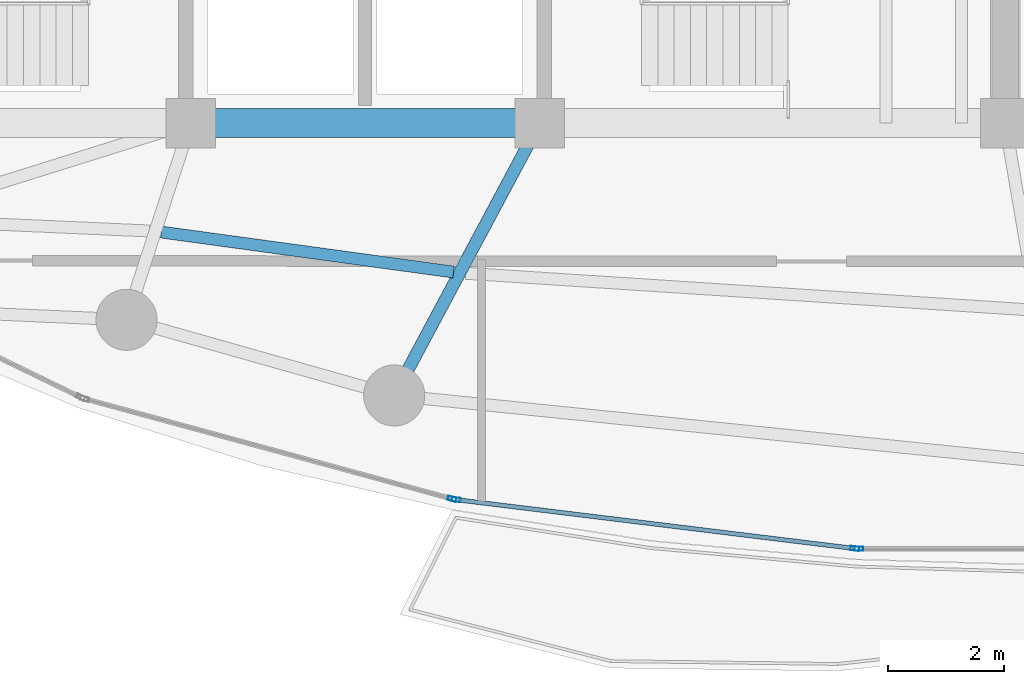
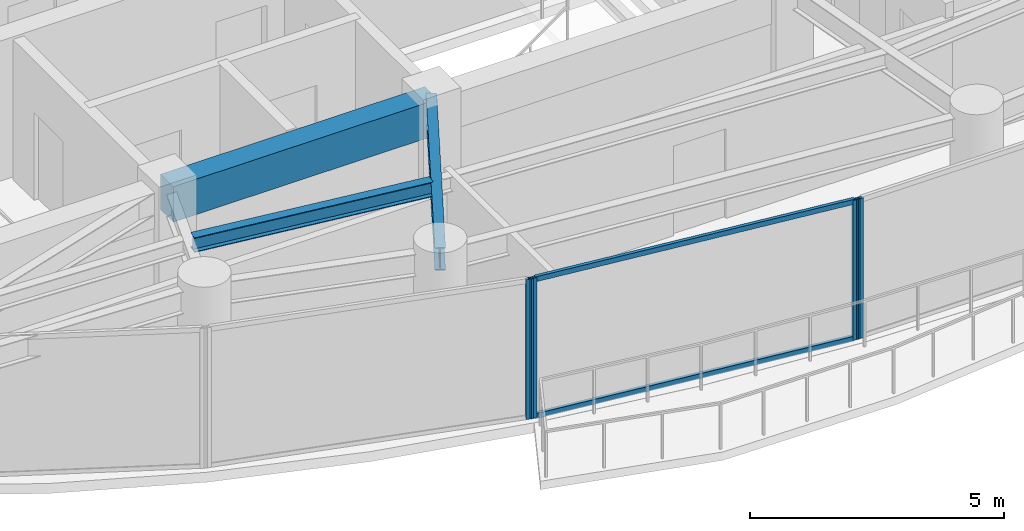
# One storey, part 5 of 29: 6 members, 3 beams, 3 elements without a shape of their own.
"""IFC4 building model written with IfcOpenShell, lengths in metres."""

from ifc_helpers import new_model, si_unit, direction, frame, origin, origin_2d, place, context, subcontext, project, spatial, rectangle, hollow_rectangle, i_section, extrude, material, layer, layer_set, material_profile, profile_set, type_object, element, aggregate, save


model = new_model("IFC4")

# Units and contexts
model_context = context("Model", 3, precision=1e-05, world=origin(), true_north=direction((0.0, 1.0)))
body_context = subcontext(model_context, "Body", "Model", "MODEL_VIEW")
ifc_project = project(units=[si_unit("LENGTHUNIT", "METRE"), si_unit("AREAUNIT", "SQUARE_METRE"), si_unit("VOLUMEUNIT", "CUBIC_METRE"), si_unit("PLANEANGLEUNIT", "RADIAN"), si_unit("MASSUNIT", "GRAM", prefix="KILO")], contexts=[model_context])

# Site, building, storey
site_placement = place(None, origin())
site = spatial("IfcSite", under=ifc_project, at=site_placement, CompositionType="ELEMENT")
building_placement = place(site_placement, origin())
building = spatial("IfcBuilding", under=site, at=building_placement, Name="Kazevale Care Tower and Concert Hall", CompositionType="ELEMENT")
storey_placement = place(building_placement, frame((0.0, 0.0, 213.60009765625)))
storey = spatial("IfcBuildingStorey", under=building, at=storey_placement, Name="L56", CompositionType="ELEMENT", Elevation=213.60009765625)

# Curtain wall, member
ifc_material_1 = material(Name="Aluminium 6063-T6 and Low-E Glass", Category="aluminium")
ifc_layer = layer(ifc_material_1, 0.179931640625)
ifc_layer_set = layer_set([ifc_layer], Name="Aluminium 6063-T6 and Low-E Glass")
curtain_wall_type = type_object("IfcCurtainWallType", Name="Sheltered Concave Balcony Curtain Wall CW-5", PredefinedType="NOTDEFINED", material=ifc_layer_set)
curtain_wall_1_placement = place(storey_placement, origin())
curtain_wall_1 = element("IfcCurtainWall", 1, at=curtain_wall_1_placement, inside=storey, type_object=curtain_wall_type, Name="cw:L56:f06", PredefinedType="NOTDEFINED")
ifc_material_2 = material(Name="Aluminium 6063-T6", Category="aluminium")
ifc_material_profile_1 = material_profile(ifc_material_2, hollow_rectangle(XDim=0.074951171875, YDim=0.14990234375, WallThickness=0.00390625, at=origin_2d()), Name="ALU75x150x4")
ifc_profile_set_1 = profile_set([ifc_material_profile_1], Name="Aluminium 6063-T6")
member_type_1 = type_object("IfcMemberType", Name="CW-5 Mullion ALU75x150x4", PredefinedType="MULLION", material=ifc_profile_set_1)
member_1_placement = place(storey_placement, frame((41.487548828125, 16.284912109375, 0.0), z_axis=(0.0, 0.0, 1.0), x_axis=(0.0, -1.0, 0.0)))
member_1 = element("IfcMember", 2, at=member_1_placement, type_object=member_type_1, Name="CW-5 mullion 2", PredefinedType="MULLION", context=body_context, shape_type="SweptSolid", body=[
    extrude(hollow_rectangle(XDim=0.074951171875, YDim=0.14990234375, WallThickness=0.00390625, at=origin_2d()), origin(), (0.0, 0.0, 1.0), 3.35986328125),
])
aggregate(curtain_wall_1, [member_1])

# Curtain wall, members
curtain_wall_2_placement = place(storey_placement, origin())
curtain_wall_2 = element("IfcCurtainWall", 3, at=curtain_wall_2_placement, inside=storey, type_object=curtain_wall_type, Name="cw:L56:f07", PredefinedType="NOTDEFINED")
member_2_placement = place(storey_placement, frame((41.412841796875, 16.28955078125, 0.0), z_axis=(0.0, 0.0, 1.0), x_axis=(-0.121650797964, -0.992572961225, 0.0)))
member_2 = element("IfcMember", 4, at=member_2_placement, type_object=member_type_1, Name="CW-5 mullion 1", PredefinedType="MULLION", context=body_context, shape_type="SweptSolid", body=[
    extrude(hollow_rectangle(XDim=0.074951171875, YDim=0.14990234375, WallThickness=0.00390625, at=origin_2d()), origin(), (0.0, 0.0, 1.0), 3.35986328125),
])
member_3_placement = place(storey_placement, frame((34.568115234375, 17.12841796875, 0.0), z_axis=(0.0, 0.0, 1.0), x_axis=(-0.121650797964, -0.992572961225, 0.0)))
member_3 = element("IfcMember", 5, at=member_3_placement, type_object=member_type_1, Name="CW-5 mullion 2", PredefinedType="MULLION", context=body_context, shape_type="SweptSolid", body=[
    extrude(hollow_rectangle(XDim=0.074951171875, YDim=0.14990234375, WallThickness=0.00390625, at=origin_2d()), origin(), (0.0, 0.0, 1.0), 3.35986328125),
])

# Curtain wall, member
curtain_wall_3_placement = place(storey_placement, origin())
curtain_wall_3 = element("IfcCurtainWall", 6, at=curtain_wall_3_placement, inside=storey, type_object=curtain_wall_type, Name="cw:L56:f08", PredefinedType="NOTDEFINED")
member_4_placement = place(storey_placement, frame((34.494873046875, 17.142822265625, 0.0), z_axis=(0.0, 0.0, 1.0), x_axis=(-0.262848968947, -0.964836991167, 0.0)))
member_4 = element("IfcMember", 7, at=member_4_placement, type_object=member_type_1, Name="CW-5 mullion 1", PredefinedType="MULLION", context=body_context, shape_type="SweptSolid", body=[
    extrude(hollow_rectangle(XDim=0.074951171875, YDim=0.14990234375, WallThickness=0.00390625, at=origin_2d()), origin(), (0.0, 0.0, 1.0), 3.35986328125),
])
aggregate(curtain_wall_3, [member_4])

# Member
ifc_material_profile_2 = material_profile(ifc_material_2, hollow_rectangle(XDim=0.074951171875, YDim=0.1201171875, WallThickness=0.00390625, at=origin_2d()), Name="ALU75x120x4")
ifc_profile_set_2 = profile_set([ifc_material_profile_2], Name="Aluminium 6063-T6")
member_type_2 = type_object("IfcMemberType", Name="CW-5 Transom ALU75x120x4", PredefinedType="USERDEFINED", material=ifc_profile_set_2)
member_5_placement = place(storey_placement, frame((41.37548828125, 16.294189453125, 0.037353515625), z_axis=(-0.992575633306, 0.121628993941, 0.0), x_axis=(-0.121628993941, -0.992575633306, 0.0)))
member_5 = element("IfcMember", 8, at=member_5_placement, type_object=member_type_2, Name="CW-5 transom 1.1", ObjectType="TRANSOM", PredefinedType="USERDEFINED", context=body_context, shape_type="SweptSolid", body=[
    extrude(hollow_rectangle(XDim=0.074951171875, YDim=0.1201171875, WallThickness=0.00390625, at=origin_2d()), origin(), (0.0, 0.0, 1.0), 6.820556640625),
])

member_6_placement = place(storey_placement, frame((41.37548828125, 16.294189453125, 3.322509765625), z_axis=(-0.992575633306, 0.121628993941, 0.0), x_axis=(-0.121628993941, -0.992575633306, 0.0)))
member_6 = element("IfcMember", 9, at=member_6_placement, type_object=member_type_2, Name="CW-5 transom 1.2", ObjectType="TRANSOM", PredefinedType="USERDEFINED", context=body_context, shape_type="SweptSolid", body=[
    extrude(hollow_rectangle(XDim=0.074951171875, YDim=0.1201171875, WallThickness=0.00390625, at=origin_2d()), origin(), (0.0, 0.0, 1.0), 6.820556640625),
])

aggregate(curtain_wall_2, [member_2, member_3, member_5, member_6])

# Beams
ifc_material_3 = material(Name="Concrete C60", Category="concrete")
ifc_material_profile_3 = material_profile(ifc_material_3, rectangle(XDim=0.5, YDim=0.85009765625, at=origin_2d()), Name="RC-B500x850")
ifc_profile_set_3 = profile_set([ifc_material_profile_3], Name="Concrete C60")
beam_type_1 = type_object("IfcBeamType", Name="Core Coupling Beam RC500x850", PredefinedType="LINTEL", material=ifc_profile_set_3)
beam_1_placement = place(storey_placement, frame((30.0, 23.60009765625, 2.934814453125), z_axis=(1.0, 0.0, 0.0), x_axis=(0.0, 1.0, 0.0)))
element("IfcBeam", 10, at=beam_1_placement, inside=storey, type_object=beam_type_1, Name="beam:L56:coretie:2", PredefinedType="LINTEL", context=body_context, shape_type="SweptSolid", body=[
    extrude(rectangle(XDim=0.5, YDim=0.85009765625, at=origin_2d()), origin(), (0.0, 0.0, 1.0), 6.0),
])
ifc_material_4 = material(Name="Steel ASTM A572 Gr 50", Category="steel")
ifc_material_profile_4 = material_profile(ifc_material_4, i_section(OverallWidth=0.2119140625, OverallDepth=0.5439453125, WebThickness=0.01318359375, FlangeThickness=0.021240234375, at=origin_2d()), Name="W530x123")
ifc_profile_set_4 = profile_set([ifc_material_profile_4], Name="Steel ASTM A572 Gr 50")
beam_type_2 = type_object("IfcBeamType", Name="Radial Floor Girder W530x123", PredefinedType="BEAM", material=ifc_profile_set_4)
beam_2_placement = place(storey_placement, frame((36.0, 23.60009765625, 3.087890625), z_axis=(-0.471161293943, -0.88204707079, 0.0), x_axis=(0.88204707079, -0.471161293943, 0.0)))
element("IfcBeam", 11, at=beam_2_placement, inside=storey, type_object=beam_type_2, Name="beam:L56:rad:12", PredefinedType="BEAM", context=body_context, shape_type="SweptSolid", body=[
    extrude(i_section(OverallWidth=0.2119140625, OverallDepth=0.5439453125, WebThickness=0.01318359375, FlangeThickness=0.021240234375, at=origin_2d()), origin(), (0.0, 0.0, 1.0), 5.30615234375),
])
ifc_material_profile_5 = material_profile(ifc_material_4, i_section(OverallWidth=0.205078125, OverallDepth=0.35400390625, WebThickness=0.009521484375, FlangeThickness=0.016845703125, at=origin_2d()), Name="W360x79")
ifc_profile_set_5 = profile_set([ifc_material_profile_5], Name="Steel ASTM A572 Gr 50")
beam_type_3 = type_object("IfcBeamType", Name="Secondary Floor Joist W360x79", PredefinedType="JOIST", material=ifc_profile_set_5)
beam_3_placement = place(storey_placement, frame((29.4990234375, 21.72705078125, 3.182861328125), z_axis=(0.990772043119, -0.13553877148, 0.0), x_axis=(0.13553877148, 0.990772043119, 0.0)))
element("IfcBeam", 12, at=beam_3_placement, inside=storey, type_object=beam_type_3, Name="beam:L56:joist:11", PredefinedType="JOIST", context=body_context, shape_type="SweptSolid", body=[
    extrude(i_section(OverallWidth=0.205078125, OverallDepth=0.35400390625, WebThickness=0.009521484375, FlangeThickness=0.016845703125, at=origin_2d()), origin(), (0.0, 0.0, 1.0), 5.06884765625),
])

save(model, "model.ifc")
